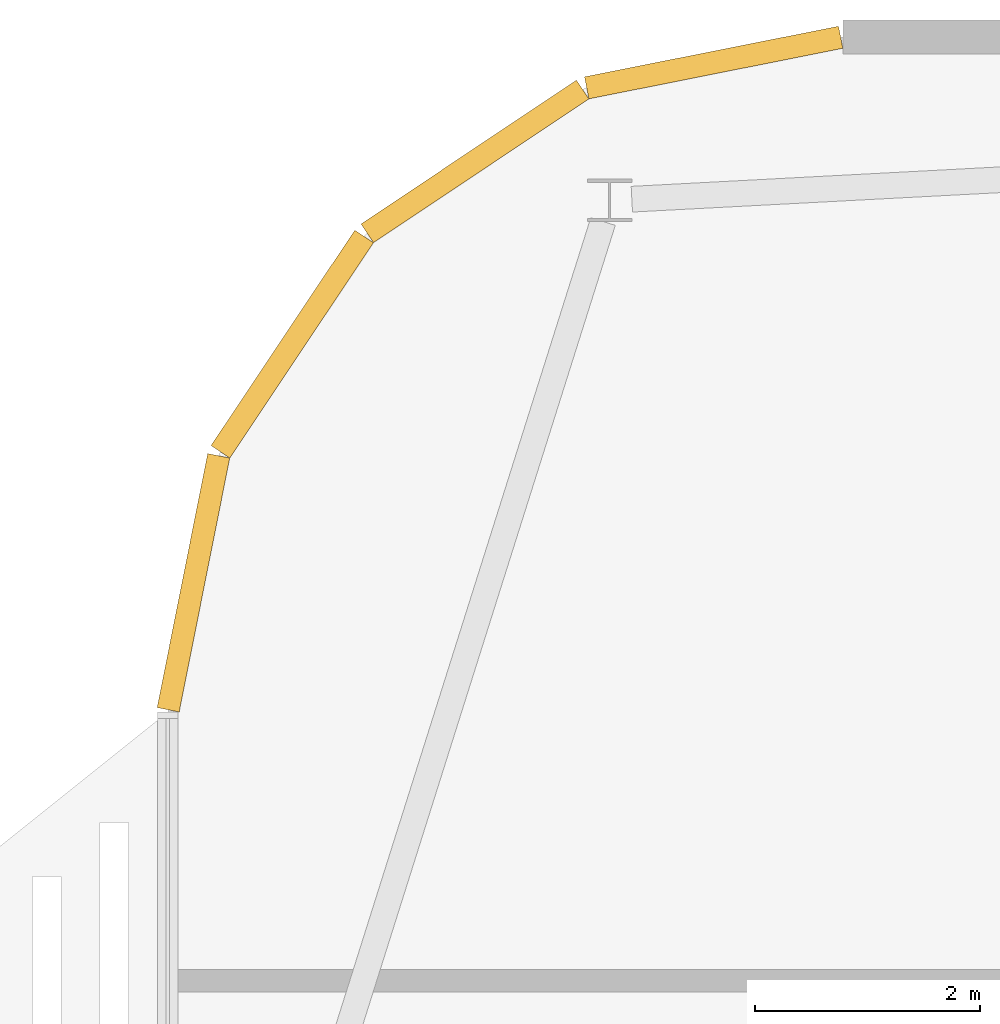
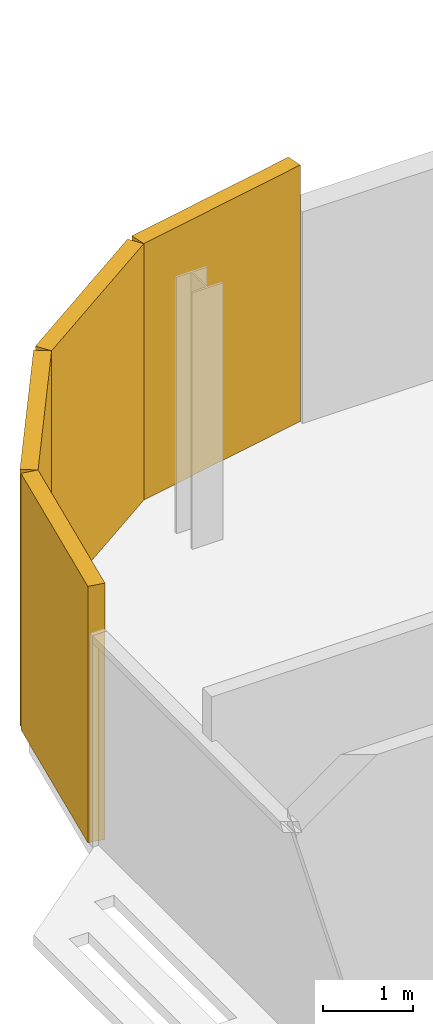
# One storey, part 26 of 28: 4 coverings.
"""IFC4 building model written with IfcOpenShell, lengths in metres."""

from ifc_helpers import new_model, si_unit, direction, frame, origin, origin_2d, place, context, subcontext, project, spatial, rectangle, extrude, material, layer, layer_set, type_object, element, save


model = new_model("IFC4")

# Units and contexts
model_context = context("Model", 3, precision=1e-05, world=origin(), true_north=direction((0.0, 1.0)))
body_context = subcontext(model_context, "Body", "Model", "MODEL_VIEW")
ifc_project = project(units=[si_unit("LENGTHUNIT", "METRE"), si_unit("AREAUNIT", "SQUARE_METRE"), si_unit("VOLUMEUNIT", "CUBIC_METRE"), si_unit("PLANEANGLEUNIT", "RADIAN"), si_unit("MASSUNIT", "GRAM", prefix="KILO")], contexts=[model_context])

# Site, building, storey
site_placement = place(None, origin())
site = spatial("IfcSite", under=ifc_project, at=site_placement, CompositionType="ELEMENT")
building_placement = place(site_placement, origin())
building = spatial("IfcBuilding", under=site, at=building_placement, Name="Mahtab Terrace Research Tower", CompositionType="ELEMENT")
storey_placement = place(building_placement, frame((0.0, 0.0, 270.89990234375)))
storey = spatial("IfcBuildingStorey", under=building, at=storey_placement, Name="L66", CompositionType="ELEMENT", Elevation=270.89990234375)

# Coverings
ifc_material = material(Name="Black aluminium cladding panel", Category="aluminium")
ifc_layer = layer(ifc_material, 0.199951171875)
ifc_layer_set = layer_set([ifc_layer], Name="Black metal corner cladding 200")
covering_type = type_object("IfcCoveringType", Name="Black metal corner cladding 200", PredefinedType="CLADDING", material=ifc_layer_set)
for number, where, z_axis, x_axis, name in (
    (1, (-43.14794921875, 25.16162109375, 0.0), (0.0, 0.0, 1.0), (-0.980760981187, -0.195212442692, 0.0), "Corner cladding L66 4"),
    (2, (-45.26953125, 24.282958984375, 0.0), (0.0, 0.0, 1.0), (-0.831655794326, -0.555291490808, 0.0), "Corner cladding L66 5"),
    (3, (-46.89306640625, 22.659423828125, 0.0), (0.0, 0.0, 1.0), (-0.555291490808, -0.831655794326, 0.0), "Corner cladding L66 6"),
    (4, (-47.771484375, 20.5380859375, 0.0), (0.0, 0.0, 1.0), (-0.195212442692, -0.980760981187, 0.0), "Corner cladding L66 7"),
):
    element("IfcCovering", number, at=place(storey_placement, frame(where, z_axis=z_axis, x_axis=x_axis)), inside=storey, type_object=covering_type, Name=name, PredefinedType="CLADDING", context=body_context, shape_type="SweptSolid", body=[
        extrude(rectangle(XDim=2.30126953125, YDim=0.199951171875, at=origin_2d()), origin(), (0.0, 0.0, 1.0), 3.4599609375),
    ])

save(model, "model.ifc")
